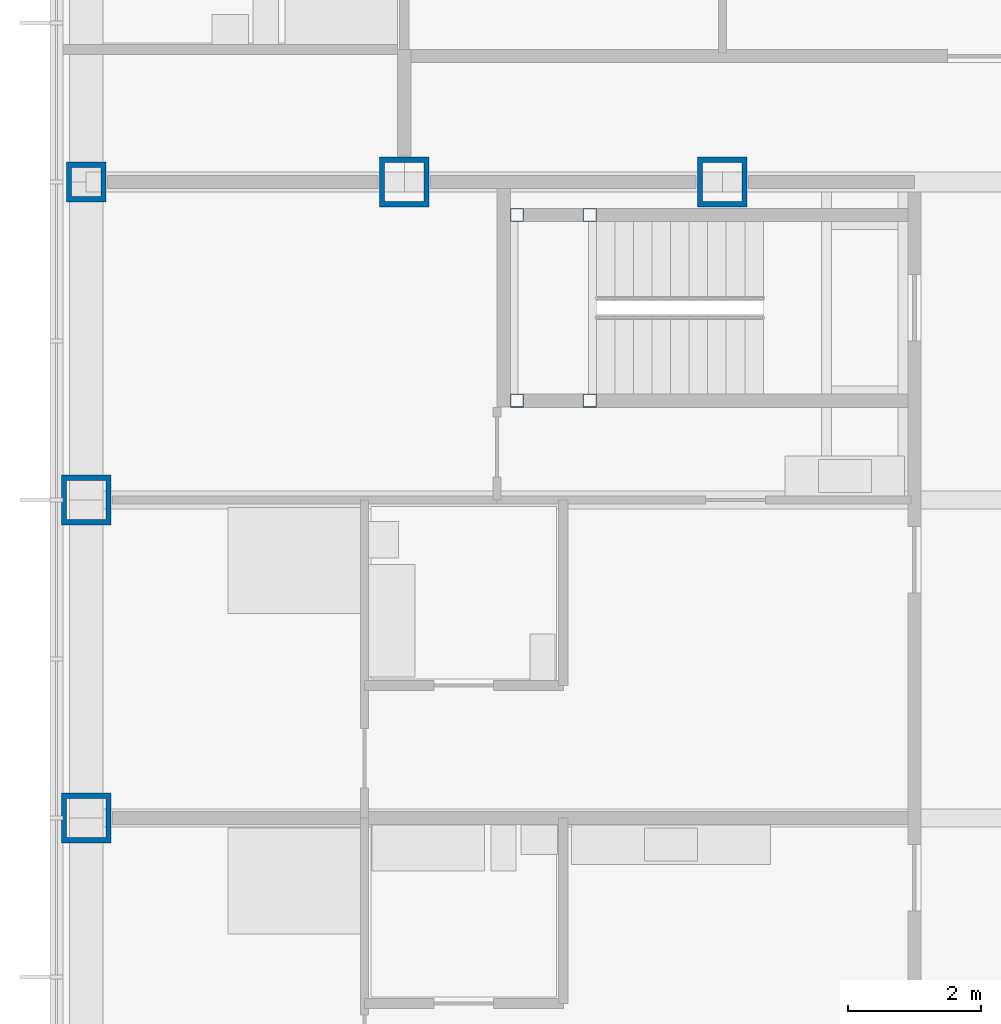
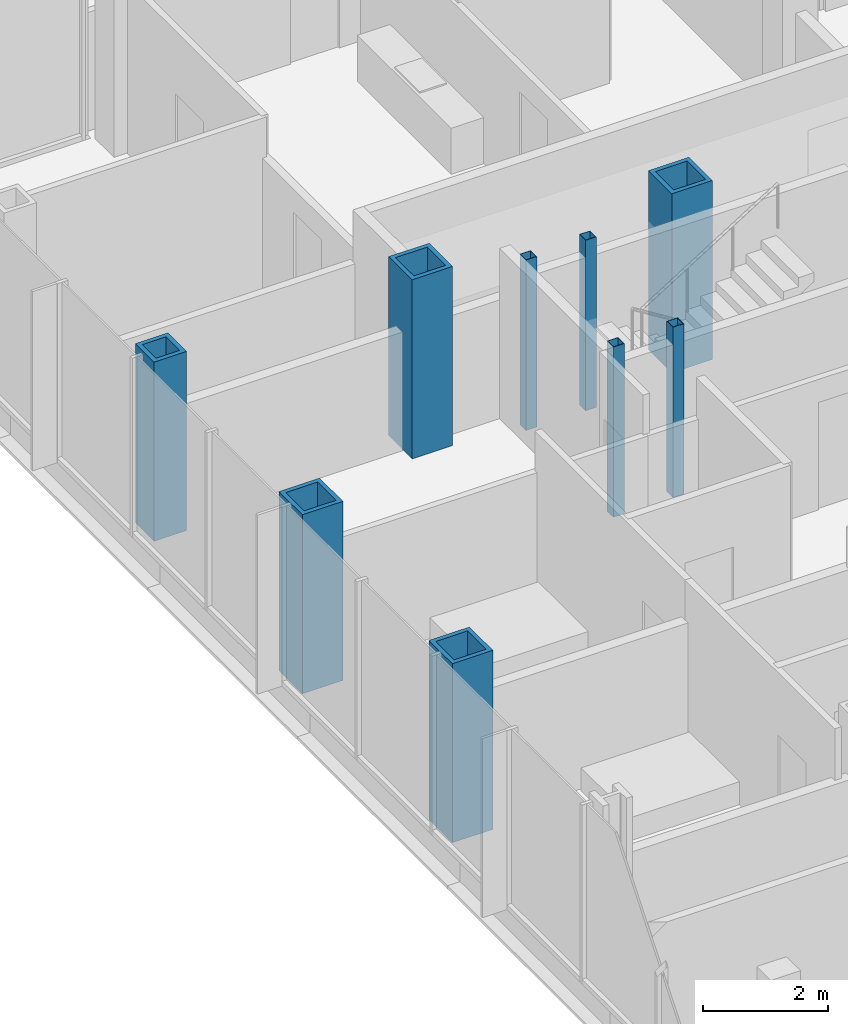
# One storey, part 3 of 21: 9 columns.
"""IFC4 building model written with IfcOpenShell, lengths in metres."""

from ifc_helpers import new_model, si_unit, direction, frame, origin, origin_2d, place, context, subcontext, project, spatial, hollow_rectangle, extrude, material, material_profile, profile_set, type_object, element, save


model = new_model("IFC4")

# Units and contexts
model_context = context("Model", 3, precision=1e-05, world=origin(), true_north=direction((0.0, 1.0)))
body_context = subcontext(model_context, "Body", "Model", "MODEL_VIEW")
ifc_project = project(units=[si_unit("LENGTHUNIT", "METRE"), si_unit("AREAUNIT", "SQUARE_METRE"), si_unit("VOLUMEUNIT", "CUBIC_METRE"), si_unit("PLANEANGLEUNIT", "RADIAN"), si_unit("MASSUNIT", "GRAM", prefix="KILO")], contexts=[model_context])

# Site, building, storey
site_placement = place(None, origin())
site = spatial("IfcSite", under=ifc_project, at=site_placement, CompositionType="ELEMENT")
building_placement = place(site_placement, origin())
building = spatial("IfcBuilding", under=site, at=building_placement, Name="Kvirike Care Tower", CompositionType="ELEMENT")
storey_placement = place(building_placement, frame((0.0, 0.0, 55.0)))
storey = spatial("IfcBuildingStorey", under=building, at=storey_placement, Name="L14", CompositionType="ELEMENT", Elevation=55.0)

# Columns
ifc_material_1 = material(Name="Steel S460", Category="steel")
ifc_material_profile_1 = material_profile(ifc_material_1, hollow_rectangle(XDim=0.60009765625, YDim=0.60009765625, WallThickness=0.080078125, at=origin_2d()), Name="BX 600x600x80")
ifc_profile_set_1 = profile_set([ifc_material_profile_1], Name="Steel S460")
column_type_1 = type_object("IfcColumnType", Name="COLUMN BX 600x600x80", PredefinedType="COLUMN", material=ifc_profile_set_1)
column_placement = place(storey_placement, frame((0.0, 43.199951171875, 0.0), z_axis=(0.0, 0.0, 1.0), x_axis=(0.0, 1.0, 0.0)))
element("IfcColumn", 1, at=column_placement, inside=storey, type_object=column_type_1, Name="Column K3 L14", PredefinedType="COLUMN", context=body_context, shape_type="SweptSolid", body=[
    extrude(hollow_rectangle(XDim=0.60009765625, YDim=0.60009765625, WallThickness=0.080078125, at=origin_2d()), origin(), (0.0, 0.0, 1.0), 3.5),
])
ifc_material_2 = material(Name="Steel S460", Category="steel")
ifc_material_profile_2 = material_profile(ifc_material_2, hollow_rectangle(XDim=0.75, YDim=0.75, WallThickness=0.080078125, at=origin_2d()), Name="BX 750x750x80")
ifc_profile_set_2 = profile_set([ifc_material_profile_2], Name="Steel S460")
column_type_2 = type_object("IfcColumnType", Name="COLUMN BX 750x750x80", PredefinedType="COLUMN", material=ifc_profile_set_2)
for number, where, z_axis, x_axis, name in (
    (2, (0.0, 33.60009765625, 0.0), (0.0, 0.0, 1.0), (1.0, 0.0, 0.0), "Column H3 L14"),
    (3, (0.0, 38.39990234375, 0.0), (0.0, 0.0, 1.0), (1.0, 0.0, 0.0), "Column J3 L14"),
    (4, (4.800048828125, 43.199951171875, 0.0), (0.0, 0.0, 1.0), (0.0, 1.0, 0.0), "Column K4 L14"),
    (5, (9.60009765625, 43.199951171875, 0.0), (0.0, 0.0, 1.0), (0.0, 1.0, 0.0), "Column K5 L14"),
):
    element("IfcColumn", number, at=place(storey_placement, frame(where, z_axis=z_axis, x_axis=x_axis)), inside=storey, type_object=column_type_2, Name=name, PredefinedType="COLUMN", context=body_context, shape_type="SweptSolid", body=[
        extrude(hollow_rectangle(XDim=0.75, YDim=0.75, WallThickness=0.080078125, at=origin_2d()), origin(), (0.0, 0.0, 1.0), 3.5),
    ])
ifc_material_3 = material(Name="Steel S460", Category="steel")
ifc_material_profile_3 = material_profile(ifc_material_3, hollow_rectangle(XDim=0.199951171875, YDim=0.199951171875, WallThickness=0.008056640625, at=origin_2d()), Name="SHS 200x200x8")
ifc_profile_set_3 = profile_set([ifc_material_profile_3], Name="Steel S460")
column_type_3 = type_object("IfcColumnType", Name="STAIR POST SHS 200x200x8", PredefinedType="COLUMN", material=ifc_profile_set_3)
for number, where, z_axis, x_axis, name in (
    (6, (6.5, 42.699951171875, 0.0), (0.0, 0.0, 1.0), (1.0, 0.0, 0.0), "Stair 1 post 1 L14"),
    (7, (6.5, 39.89990234375, 0.0), (0.0, 0.0, 1.0), (1.0, 0.0, 0.0), "Stair 1 post 2 L14"),
    (8, (7.60009765625, 42.699951171875, 0.0), (0.0, 0.0, 1.0), (1.0, 0.0, 0.0), "Stair 1 post 3 L14"),
    (9, (7.60009765625, 39.89990234375, 0.0), (0.0, 0.0, 1.0), (1.0, 0.0, 0.0), "Stair 1 post 4 L14"),
):
    element("IfcColumn", number, at=place(storey_placement, frame(where, z_axis=z_axis, x_axis=x_axis)), inside=storey, type_object=column_type_3, Name=name, PredefinedType="COLUMN", context=body_context, shape_type="SweptSolid", body=[
        extrude(hollow_rectangle(XDim=0.199951171875, YDim=0.199951171875, WallThickness=0.008056640625, at=origin_2d()), origin(), (0.0, 0.0, 1.0), 3.330078125),
    ])

save(model, "model.ifc")
